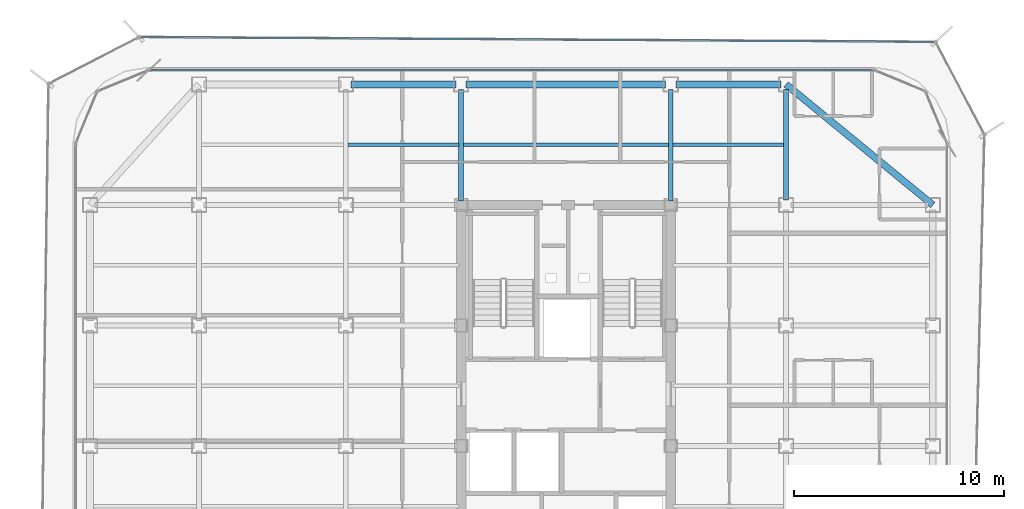
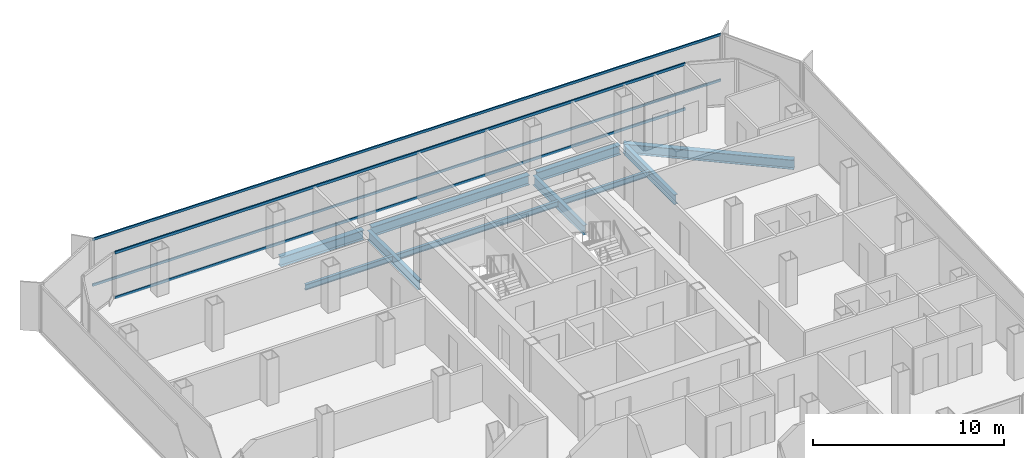
# One storey, part 7 of 15: 10 beams, 4 members, 2 elements without a shape of their own.
"""IFC4 building model written with IfcOpenShell, lengths in metres."""

from ifc_helpers import new_model, si_unit, direction, frame, origin, origin_2d, place, context, subcontext, project, spatial, hollow_rectangle, i_section, extrude, source, transform, mapped, material, layer, layer_set, material_profile, profile_set, type_object, element, aggregate, save


model = new_model("IFC4")

# Units and contexts
model_context = context("Model", 3, precision=1e-05, world=origin(), true_north=direction((0.0, 1.0)))
body_context = subcontext(model_context, "Body", "Model", "MODEL_VIEW")
ifc_project = project(units=[si_unit("LENGTHUNIT", "METRE"), si_unit("AREAUNIT", "SQUARE_METRE"), si_unit("VOLUMEUNIT", "CUBIC_METRE"), si_unit("PLANEANGLEUNIT", "RADIAN"), si_unit("MASSUNIT", "GRAM", prefix="KILO")], contexts=[model_context])

# Site, building, storey
site_placement = place(None, origin())
site = spatial("IfcSite", under=ifc_project, at=site_placement, CompositionType="ELEMENT")
building_placement = place(site_placement, origin())
building = spatial("IfcBuilding", under=site, at=building_placement, Name="Kolveth Station Tower", CompositionType="ELEMENT")
storey_placement = place(building_placement, frame((0.0, 0.0, 202.800048828125)))
storey = spatial("IfcBuildingStorey", under=building, at=storey_placement, Name="L57", CompositionType="ELEMENT", Elevation=202.800048828125)

# Beams
ifc_material_1 = material(Name="Steel S355", Category="steel")
ifc_material_profile_1 = material_profile(ifc_material_1, i_section(OverallWidth=0.323974609375, OverallDepth=0.611083984375, WebThickness=0.0126953125, FlangeThickness=0.01904296875, at=origin_2d()), Name="W610x155")
ifc_profile_set_1 = profile_set([ifc_material_profile_1], Name="Steel S355")
beam_type_1 = type_object("IfcBeamType", Name="Beam_SP2", PredefinedType="SPANDREL", material=ifc_profile_set_1)
shared_shape_1 = source(origin(), body_context, "Body", "SweptSolid", [
    extrude(i_section(OverallWidth=0.323974609375, OverallDepth=0.611083984375, WebThickness=0.0126953125, FlangeThickness=0.01904296875, at=origin_2d()), origin(), (0.0, 0.0, 1.0), 5.02001953125),
])
for number, where, z_axis, x_axis, name in (
    (1, (13.239990234375, 34.5, -0.5556640625), (1.0, 0.0, 0.0), (0.0, 1.0, 0.0), "L57 Perimeter Spandrel BM-L57-PN-2"),
    (2, (28.739990234375, 34.5, -0.5556640625), (1.0, 0.0, 0.0), (0.0, 1.0, 0.0), "L57 Perimeter Spandrel BM-L57-PN-4"),
):
    element("IfcBeam", number, at=place(storey_placement, frame(where, z_axis=z_axis, x_axis=x_axis)), inside=storey, type_object=beam_type_1, Name=name, PredefinedType="SPANDREL", context=body_context, shape_type="MappedRepresentation", body=[
        mapped(shared_shape_1, transform((0.0, 0.0, 0.0), x_axis=(1.0, 0.0, 0.0), y_axis=(0.0, 1.0, 0.0), z_axis=(0.0, 0.0, 1.0), scale=1.0)),
    ])
shared_shape_2 = source(origin(), body_context, "Body", "SweptSolid", [
    extrude(i_section(OverallWidth=0.323974609375, OverallDepth=0.611083984375, WebThickness=0.0126953125, FlangeThickness=0.01904296875, at=origin_2d()), origin(), (0.0, 0.0, 1.0), 9.52001953125),
])
beam_1_placement = place(storey_placement, frame((18.739990234375, 34.5, -0.5556640625), z_axis=(1.0, 0.0, 0.0), x_axis=(0.0, 1.0, 0.0)))
element("IfcBeam", 3, at=beam_1_placement, inside=storey, type_object=beam_type_1, Name="L57 Perimeter Spandrel BM-L57-PN-3", PredefinedType="SPANDREL", context=body_context, shape_type="MappedRepresentation", body=[
    mapped(shared_shape_2, transform((0.0, 0.0, 0.0), x_axis=(1.0, 0.0, 0.0), y_axis=(0.0, 1.0, 0.0), z_axis=(0.0, 0.0, 1.0), scale=1.0)),
])
shared_shape_3 = source(origin(), body_context, "Body", "SweptSolid", [
    extrude(i_section(OverallWidth=0.323974609375, OverallDepth=0.611083984375, WebThickness=0.0126953125, FlangeThickness=0.01904296875, at=origin_2d()), origin(), (0.0, 0.0, 1.0), 9.058837890625),
])
beam_2_placement = place(storey_placement, frame((41.0, 28.75, -0.5556640625), z_axis=(-0.772726254525, 0.63473942336, 0.0), x_axis=(-0.63473942336, -0.772726254525, 0.0)))
element("IfcBeam", 4, at=beam_2_placement, inside=storey, type_object=beam_type_1, Name="L57 Corner Edge Girder BM-L57-CNR-NE", PredefinedType="SPANDREL", context=body_context, shape_type="MappedRepresentation", body=[
    mapped(shared_shape_3, transform((0.0, 0.0, 0.0), x_axis=(1.0, 0.0, 0.0), y_axis=(0.0, 1.0, 0.0), z_axis=(0.0, 0.0, 1.0), scale=1.0)),
])
ifc_material_profile_2 = material_profile(ifc_material_1, i_section(OverallWidth=0.22900390625, OverallDepth=0.612060546875, WebThickness=0.011962890625, FlangeThickness=0.01953125, at=origin_2d()), Name="W610x125")
ifc_profile_set_2 = profile_set([ifc_material_profile_2], Name="Steel S355")
beam_type_2 = type_object("IfcBeamType", Name="Beam_B5", PredefinedType="BEAM", material=ifc_profile_set_2)
shared_shape_4 = source(origin(), body_context, "Body", "SweptSolid", [
    extrude(i_section(OverallWidth=0.22900390625, OverallDepth=0.612060546875, WebThickness=0.011962890625, FlangeThickness=0.01953125, at=origin_2d()), origin(), (0.0, 0.0, 1.0), 5.27001953125),
])
beam_3_placement = place(storey_placement, frame((34.0, 28.989990234375, -0.55615234375), z_axis=(0.0, 1.0, 0.0), x_axis=(-1.0, 0.0, 0.0)))
element("IfcBeam", 5, at=beam_3_placement, inside=storey, type_object=beam_type_2, Name="L57 Primary Girder BM-L57-GX340-6", PredefinedType="BEAM", context=body_context, shape_type="MappedRepresentation", body=[
    mapped(shared_shape_4, transform((0.0, 0.0, 0.0), x_axis=(1.0, 0.0, 0.0), y_axis=(0.0, 1.0, 0.0), z_axis=(0.0, 0.0, 1.0), scale=1.0)),
])
shared_shape_5 = source(origin(), body_context, "Body", "SweptSolid", [
    extrude(i_section(OverallWidth=0.22900390625, OverallDepth=0.612060546875, WebThickness=0.011962890625, FlangeThickness=0.01953125, at=origin_2d()), origin(), (0.0, 0.0, 1.0), 5.31005859375),
])
for number, where, z_axis, x_axis, name in (
    (6, (18.5, 28.949951171875, -0.55615234375), (0.0, 1.0, 0.0), (-1.0, 0.0, 0.0), "L57 Primary Girder BM-L57-GX185-6"),
    (7, (28.5, 28.949951171875, -0.55615234375), (0.0, 1.0, 0.0), (-1.0, 0.0, 0.0), "L57 Primary Girder BM-L57-GX285-6"),
):
    element("IfcBeam", number, at=place(storey_placement, frame(where, z_axis=z_axis, x_axis=x_axis)), inside=storey, type_object=beam_type_2, Name=name, PredefinedType="BEAM", context=body_context, shape_type="MappedRepresentation", body=[
        mapped(shared_shape_5, transform((0.0, 0.0, 0.0), x_axis=(1.0, 0.0, 0.0), y_axis=(0.0, 1.0, 0.0), z_axis=(0.0, 0.0, 1.0), scale=1.0)),
    ])
ifc_material_profile_3 = material_profile(ifc_material_1, i_section(OverallWidth=0.1708984375, OverallDepth=0.35205078125, WebThickness=0.0068359375, FlangeThickness=0.009765625, at=origin_2d()), Name="W360x44")
ifc_profile_set_3 = profile_set([ifc_material_profile_3], Name="Steel S355")
beam_type_3 = type_object("IfcBeamType", Name="Beam_J2", PredefinedType="JOIST", material=ifc_profile_set_3)
shared_shape_6 = source(origin(), body_context, "Body", "SweptSolid", [
    extrude(i_section(OverallWidth=0.1708984375, OverallDepth=0.35205078125, WebThickness=0.0068359375, FlangeThickness=0.009765625, at=origin_2d()), origin(), (0.0, 0.0, 1.0), 5.27490234375),
])
for number, where, z_axis, x_axis, name in (
    (8, (13.112548828125, 31.625, -0.426025390625), (1.0, 0.0, 0.0), (0.0, 1.0, 0.0), "L57 Secondary Joist JST-L57-3-6"),
    (9, (28.612548828125, 31.625, -0.426025390625), (1.0, 0.0, 0.0), (0.0, 1.0, 0.0), "L57 Secondary Joist JST-L57-5-6"),
):
    element("IfcBeam", number, at=place(storey_placement, frame(where, z_axis=z_axis, x_axis=x_axis)), inside=storey, type_object=beam_type_3, Name=name, PredefinedType="JOIST", context=body_context, shape_type="MappedRepresentation", body=[
        mapped(shared_shape_6, transform((0.0, 0.0, 0.0), x_axis=(1.0, 0.0, 0.0), y_axis=(0.0, 1.0, 0.0), z_axis=(0.0, 0.0, 1.0), scale=1.0)),
    ])
shared_shape_7 = source(origin(), body_context, "Body", "SweptSolid", [
    extrude(i_section(OverallWidth=0.1708984375, OverallDepth=0.35205078125, WebThickness=0.0068359375, FlangeThickness=0.009765625, at=origin_2d()), origin(), (0.0, 0.0, 1.0), 9.77490234375),
])
beam_4_placement = place(storey_placement, frame((18.612548828125, 31.625, -0.426025390625), z_axis=(1.0, 0.0, 0.0), x_axis=(0.0, 1.0, 0.0)))
element("IfcBeam", 10, at=beam_4_placement, inside=storey, type_object=beam_type_3, Name="L57 Secondary Joist JST-L57-4-6", PredefinedType="JOIST", context=body_context, shape_type="MappedRepresentation", body=[
    mapped(shared_shape_7, transform((0.0, 0.0, 0.0), x_axis=(1.0, 0.0, 0.0), y_axis=(0.0, 1.0, 0.0), z_axis=(0.0, 0.0, 1.0), scale=1.0)),
])

# Curtain wall, members
ifc_material_2 = material(Name="Aluminium 6063-T6 and low-E dark glass", Category="aluminium")
ifc_layer_1 = layer(ifc_material_2, 0.18994140625)
ifc_layer_set_1 = layer_set([ifc_layer_1], Name="Aluminium 6063-T6 and low-E dark glass")
curtain_wall_type_1 = type_object("IfcCurtainWallType", Name="CurtainWall_CW-Z2", PredefinedType="NOTDEFINED", material=ifc_layer_set_1)
curtain_wall_1_placement = place(storey_placement, origin())
curtain_wall_1 = element("IfcCurtainWall", 11, at=curtain_wall_1_placement, inside=storey, type_object=curtain_wall_type_1, Name="L57 Inner Thermal Curtain Wall 6", PredefinedType="NOTDEFINED")
ifc_material_3 = material(Name="Black anodized aluminium 6063-T6", Category="aluminium")
ifc_material_profile_4 = material_profile(ifc_material_3, hollow_rectangle(XDim=0.080078125, YDim=0.169921875, WallThickness=0.0048828125, at=origin_2d()), Name="ALU-80x170x5")
ifc_profile_set_4 = profile_set([ifc_material_profile_4], Name="Black anodized aluminium 6063-T6")
member_type_1 = type_object("IfcMemberType", Name="Transom_TR2", PredefinedType="USERDEFINED", material=ifc_profile_set_4)
shared_shape_8 = source(origin(), body_context, "Body", "SweptSolid", [
    extrude(hollow_rectangle(XDim=0.080078125, YDim=0.169921875, WallThickness=0.0048828125, at=origin_2d()), origin(), (0.0, 0.0, 1.0), 34.440185546875),
])
member_1_placement = place(storey_placement, frame((38.1201171875, 35.179931640625, 0.0400390625), z_axis=(-1.0, 0.0, 0.0), x_axis=(0.0, -1.0, 0.0)))
member_1 = element("IfcMember", 12, at=member_1_placement, type_object=member_type_1, Name="CW-Z2 transom 1.1", ObjectType="TRANSOM", PredefinedType="USERDEFINED", context=body_context, shape_type="MappedRepresentation", body=[
    mapped(shared_shape_8, transform((0.0, 0.0, 0.0), x_axis=(1.0, 0.0, 0.0), y_axis=(0.0, 1.0, 0.0), z_axis=(0.0, 0.0, 1.0), scale=1.0)),
])
member_2_placement = place(storey_placement, frame((38.1201171875, 35.179931640625, 2.909912109375), z_axis=(-1.0, 0.0, 0.0), x_axis=(0.0, -1.0, 0.0)))
member_2 = element("IfcMember", 13, at=member_2_placement, type_object=member_type_1, Name="CW-Z2 transom 1.2", ObjectType="TRANSOM", PredefinedType="USERDEFINED", context=body_context, shape_type="MappedRepresentation", body=[
    mapped(shared_shape_8, transform((0.0, 0.0, 0.0), x_axis=(1.0, 0.0, 0.0), y_axis=(0.0, 1.0, 0.0), z_axis=(0.0, 0.0, 1.0), scale=1.0)),
])
aggregate(curtain_wall_1, [member_1, member_2])

ifc_material_4 = material(Name="Black anodized aluminium 6063-T6 and dark solar glass", Category="aluminium")
ifc_layer_2 = layer(ifc_material_4, 0.159912109375)
ifc_layer_set_2 = layer_set([ifc_layer_2], Name="Black anodized aluminium 6063-T6 and dark solar glass")
curtain_wall_type_2 = type_object("IfcCurtainWallType", Name="OUTER SKIN CW-OS", PredefinedType="NOTDEFINED", material=ifc_layer_set_2)
curtain_wall_2_placement = place(storey_placement, origin())
curtain_wall_2 = element("IfcCurtainWall", 14, at=curtain_wall_2_placement, inside=storey, type_object=curtain_wall_type_2, Name="L57 Outer Ventilated Skin Curtain Wall 4", PredefinedType="NOTDEFINED")
ifc_material_profile_5 = material_profile(ifc_material_3, hollow_rectangle(XDim=0.080078125, YDim=0.14990234375, WallThickness=0.0048828125, at=origin_2d()), Name="ALU-80x150x5")
ifc_profile_set_5 = profile_set([ifc_material_profile_5], Name="Black anodized aluminium 6063-T6")
member_type_2 = type_object("IfcMemberType", Name="Transom_TR-OS", PredefinedType="USERDEFINED", material=ifc_profile_set_5)
shared_shape_9 = source(origin(), body_context, "Body", "SweptSolid", [
    extrude(hollow_rectangle(XDim=0.080078125, YDim=0.14990234375, WallThickness=0.0048828125, at=origin_2d()), origin(), (0.0, 0.0, 1.0), 37.813720703125),
])
member_3_placement = place(storey_placement, frame((41.04833984375, 36.52685546875, 0.0400390625), z_axis=(-0.999981778696, 0.006036743864, 0.0), x_axis=(-0.006036743864, -0.999981778696, 0.0)))
member_3 = element("IfcMember", 15, at=member_3_placement, type_object=member_type_2, Name="CW-OS transom 1.1", ObjectType="TRANSOM", PredefinedType="USERDEFINED", context=body_context, shape_type="MappedRepresentation", body=[
    mapped(shared_shape_9, transform((0.0, 0.0, 0.0), x_axis=(1.0, 0.0, 0.0), y_axis=(0.0, 1.0, 0.0), z_axis=(0.0, 0.0, 1.0), scale=1.0)),
])
member_4_placement = place(storey_placement, frame((41.04833984375, 36.52685546875, 2.949951171875), z_axis=(-0.999981778696, 0.006036743864, 0.0), x_axis=(-0.006036743864, -0.999981778696, 0.0)))
member_4 = element("IfcMember", 16, at=member_4_placement, type_object=member_type_2, Name="CW-OS transom 1.2", ObjectType="TRANSOM", PredefinedType="USERDEFINED", context=body_context, shape_type="MappedRepresentation", body=[
    mapped(shared_shape_9, transform((0.0, 0.0, 0.0), x_axis=(1.0, 0.0, 0.0), y_axis=(0.0, 1.0, 0.0), z_axis=(0.0, 0.0, 1.0), scale=1.0)),
])
aggregate(curtain_wall_2, [member_3, member_4])

save(model, "model.ifc")
